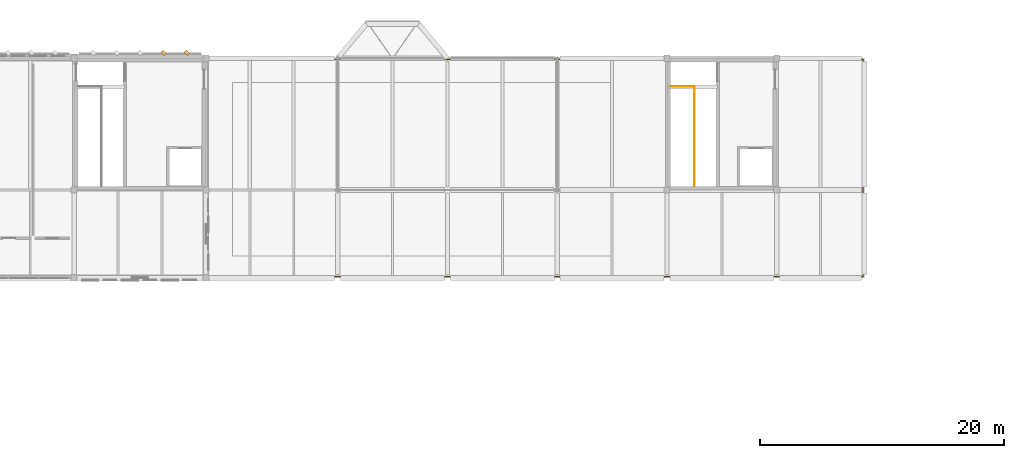
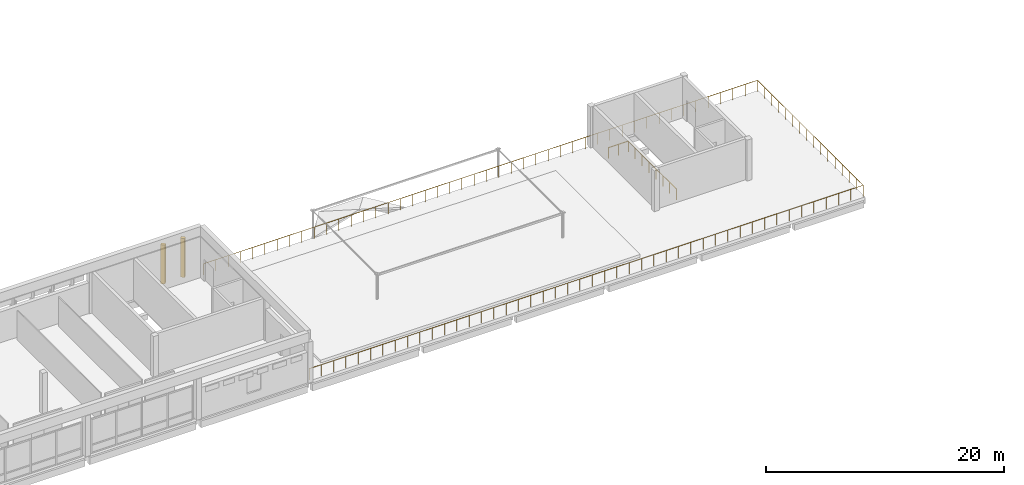
# One storey, part 33 of 33: 2 coverings, 2 railings.
"""IFC4 building model written with IfcOpenShell, lengths in metres."""

from ifc_helpers import new_model, si_unit, direction, frame, origin, origin_2d, place, context, subcontext, project, spatial, rectangle, circle, extrude, material, layer, layer_set, type_object, element, save


model = new_model("IFC4")

# Units and contexts
model_context = context("Model", 3, precision=1e-05, world=origin(), true_north=direction((0.0, 1.0)))
body_context = subcontext(model_context, "Body", "Model", "MODEL_VIEW")
ifc_project = project(units=[si_unit("LENGTHUNIT", "METRE"), si_unit("AREAUNIT", "SQUARE_METRE"), si_unit("VOLUMEUNIT", "CUBIC_METRE"), si_unit("PLANEANGLEUNIT", "RADIAN"), si_unit("MASSUNIT", "GRAM", prefix="KILO")], contexts=[model_context])

# Site, building, storey
site_placement = place(None, origin())
site = spatial("IfcSite", under=ifc_project, at=site_placement, CompositionType="ELEMENT")
building_placement = place(site_placement, origin())
building = spatial("IfcBuilding", under=site, at=building_placement, Name="Lusvemor Sports Hall", CompositionType="ELEMENT")
storey_placement = place(building_placement, frame((0.0, 0.0, 19.199951171875)))
storey = spatial("IfcBuildingStorey", under=building, at=storey_placement, Name="L04", CompositionType="ELEMENT", Elevation=19.199951171875)

# Coverings
ifc_material_1 = material(Name="Emerald polychrome glazed ceramic cladding on Concrete C40/50 backing", Category="concrete")
ifc_layer_1 = layer(ifc_material_1, 0.0458984375)
ifc_layer_set_1 = layer_set([ifc_layer_1], Name="Emerald polychrome glazed ceramic cladding on Concrete C40/50 backing")
covering_type_1 = type_object("IfcCoveringType", Name="CLAD_WAVE_EMERALD", PredefinedType="CLADDING", material=ifc_layer_set_1)
covering_1_placement = place(storey_placement, frame((61.320068359375, 115.639892578125, 0.10009765625), z_axis=(0.0, 0.0, 1.0), x_axis=(0.707106781187, 0.707106781187, 0.0)))
element("IfcCovering", 1, at=covering_1_placement, inside=storey, type_object=covering_type_1, Name="Patterned Diamond Cladding Rib 674", PredefinedType="CLADDING", context=body_context, shape_type="SweptSolid", body=[
    extrude(rectangle(XDim=0.280029296875, YDim=0.3798828125, at=origin_2d()), origin(), (0.0, 0.0, 1.0), 4.0),
])
ifc_material_2 = material(Name="Warm terracotta Art Nouveau ceramic cladding on Concrete C40/50 backing", Category="masonry")
ifc_layer_2 = layer(ifc_material_2, 0.449951171875)
ifc_layer_set_2 = layer_set([ifc_layer_2], Name="Warm terracotta Art Nouveau ceramic cladding on Concrete C40/50 backing")
covering_type_2 = type_object("IfcCoveringType", Name="FIN_BRISE_CER_450", PredefinedType="MOLDING", material=ifc_layer_set_2)
covering_2_placement = place(storey_placement, frame((63.239990234375, 115.639892578125, 0.10009765625), z_axis=(0.0, 0.0, 1.0), x_axis=(0.707106781187, 0.707106781187, 0.0)))
element("IfcCovering", 2, at=covering_2_placement, inside=storey, type_object=covering_type_2, Name="Patterned Diamond Cladding Rib 675", PredefinedType="MOLDING", context=body_context, shape_type="SweptSolid", body=[
    extrude(rectangle(XDim=0.280029296875, YDim=0.3798828125, at=origin_2d()), origin(), (0.0, 0.0, 1.0), 4.0),
])

# Railings
ifc_material_3 = material(Name="Bronze-finished wrought-steel Art Nouveau balustrade", Category="steel")
railing_type_1 = type_object("IfcRailingType", Name="RAIL_STAIR_GUARD_112", PredefinedType="GUARDRAIL", material=ifc_material_3)
railing_1_placement = place(storey_placement, frame((102.93994140625, 112.8701171875, 0.0)))
element("IfcRailing", 3, at=railing_1_placement, inside=storey, type_object=railing_type_1, Name="Stairwell C4 Top Guard (L04)", PredefinedType="GUARDRAIL", context=body_context, shape_type="SweptSolid", body=[
    extrude(circle(Radius=0.02392578125, at=origin_2d()), frame((0.0, 0.0, 1.09619140625), z_axis=(1.0, 0.0, 0.0), x_axis=(0.0, 1.0, 0.0)), (0.0, 0.0, 1.0), 1.920166015625),
    extrude(circle(Radius=0.02392578125, at=origin_2d()), frame((1.920166015625, 0.0, 1.09619140625), z_axis=(0.0, -1.0, 0.0), x_axis=(1.0, 0.0, 0.0)), (0.0, 0.0, 1.0), 8.130126953125),
    extrude(circle(Radius=0.02099609375, at=origin_2d()), origin(), (0.0, 0.0, 1.0), 1.072021484375),
    extrude(circle(Radius=0.02099609375, at=origin_2d()), frame((0.9599609375, 0.0, 0.0)), (0.0, 0.0, 1.0), 1.072021484375),
    extrude(circle(Radius=0.02099609375, at=origin_2d()), frame((1.920166015625, 0.0, 0.0)), (0.0, 0.0, 1.0), 1.072021484375),
    extrude(circle(Radius=0.02099609375, at=origin_2d()), frame((1.920166015625, -1.161376953125, 0.0)), (0.0, 0.0, 1.0), 1.072021484375),
    extrude(circle(Radius=0.02099609375, at=origin_2d()), frame((1.920166015625, -2.322998046875, 0.0)), (0.0, 0.0, 1.0), 1.072021484375),
    extrude(circle(Radius=0.02099609375, at=origin_2d()), frame((1.920166015625, -3.484375, 0.0)), (0.0, 0.0, 1.0), 1.072021484375),
    extrude(circle(Radius=0.02099609375, at=origin_2d()), frame((1.920166015625, -4.645751953125, 0.0)), (0.0, 0.0, 1.0), 1.072021484375),
    extrude(circle(Radius=0.02099609375, at=origin_2d()), frame((1.920166015625, -5.80712890625, 0.0)), (0.0, 0.0, 1.0), 1.072021484375),
    extrude(circle(Radius=0.02099609375, at=origin_2d()), frame((1.920166015625, -6.96875, 0.0)), (0.0, 0.0, 1.0), 1.072021484375),
    extrude(circle(Radius=0.02099609375, at=origin_2d()), frame((1.920166015625, -8.130126953125, 0.0)), (0.0, 0.0, 1.0), 1.072021484375),
])
ifc_material_4 = material(Name="Bronze-finished wrought-steel Art Nouveau balustrade", Category="steel")
railing_type_2 = type_object("IfcRailingType", Name="RAIL_TERR_GUARD_118", PredefinedType="GUARDRAIL", material=ifc_material_4)
railing_2_placement = place(storey_placement, frame((64.89990234375, 97.320068359375, 0.0)))
element("IfcRailing", 4, at=railing_2_placement, inside=storey, type_object=railing_type_2, Name="Belvedere Planted Roof Garden Guard", PredefinedType="GUARDRAIL", context=body_context, shape_type="SweptSolid", body=[
    extrude(circle(Radius=0.02392578125, at=origin_2d()), frame((0.0, 0.0, 1.15576171875), z_axis=(1.0, 0.0, 0.0), x_axis=(0.0, 1.0, 0.0)), (0.0, 0.0, 1.0), 53.780029296875),
    extrude(circle(Radius=0.02392578125, at=origin_2d()), frame((53.780029296875, 0.0, 1.15576171875), z_axis=(0.0, 1.0, 0.0), x_axis=(-1.0, 0.0, 0.0)), (0.0, 0.0, 1.0), 17.760009765625),
    extrude(circle(Radius=0.02392578125, at=origin_2d()), frame((53.780029296875, 17.760009765625, 1.15576171875), z_axis=(-1.0, 0.0, 0.0), x_axis=(0.0, -1.0, 0.0)), (0.0, 0.0, 1.0), 53.780029296875),
    extrude(circle(Radius=0.02099609375, at=origin_2d()), origin(), (0.0, 0.0, 1.0), 1.1318359375),
    extrude(circle(Radius=0.02099609375, at=origin_2d()), frame((1.195068359375, 0.0, 0.0)), (0.0, 0.0, 1.0), 1.1318359375),
    extrude(circle(Radius=0.02099609375, at=origin_2d()), frame((2.39013671875, 0.0, 0.0)), (0.0, 0.0, 1.0), 1.1318359375),
    extrude(circle(Radius=0.02099609375, at=origin_2d()), frame((3.58544921875, 0.0, 0.0)), (0.0, 0.0, 1.0), 1.1318359375),
    extrude(circle(Radius=0.02099609375, at=origin_2d()), frame((4.780517578125, 0.0, 0.0)), (0.0, 0.0, 1.0), 1.1318359375),
    extrude(circle(Radius=0.02099609375, at=origin_2d()), frame((5.9755859375, 0.0, 0.0)), (0.0, 0.0, 1.0), 1.1318359375),
    extrude(circle(Radius=0.02099609375, at=origin_2d()), frame((7.170654296875, 0.0, 0.0)), (0.0, 0.0, 1.0), 1.1318359375),
    extrude(circle(Radius=0.02099609375, at=origin_2d()), frame((8.36572265625, 0.0, 0.0)), (0.0, 0.0, 1.0), 1.1318359375),
    extrude(circle(Radius=0.02099609375, at=origin_2d()), frame((9.560791015625, 0.0, 0.0)), (0.0, 0.0, 1.0), 1.1318359375),
    extrude(circle(Radius=0.02099609375, at=origin_2d()), frame((10.756103515625, 0.0, 0.0)), (0.0, 0.0, 1.0), 1.1318359375),
    extrude(circle(Radius=0.02099609375, at=origin_2d()), frame((11.951171875, 0.0, 0.0)), (0.0, 0.0, 1.0), 1.1318359375),
    extrude(circle(Radius=0.02099609375, at=origin_2d()), frame((13.146240234375, 0.0, 0.0)), (0.0, 0.0, 1.0), 1.1318359375),
    extrude(circle(Radius=0.02099609375, at=origin_2d()), frame((14.34130859375, 0.0, 0.0)), (0.0, 0.0, 1.0), 1.1318359375),
    extrude(circle(Radius=0.02099609375, at=origin_2d()), frame((15.536376953125, 0.0, 0.0)), (0.0, 0.0, 1.0), 1.1318359375),
    extrude(circle(Radius=0.02099609375, at=origin_2d()), frame((16.7314453125, 0.0, 0.0)), (0.0, 0.0, 1.0), 1.1318359375),
    extrude(circle(Radius=0.02099609375, at=origin_2d()), frame((17.9267578125, 0.0, 0.0)), (0.0, 0.0, 1.0), 1.1318359375),
    extrude(circle(Radius=0.02099609375, at=origin_2d()), frame((19.121826171875, 0.0, 0.0)), (0.0, 0.0, 1.0), 1.1318359375),
    extrude(circle(Radius=0.02099609375, at=origin_2d()), frame((20.31689453125, 0.0, 0.0)), (0.0, 0.0, 1.0), 1.1318359375),
    extrude(circle(Radius=0.02099609375, at=origin_2d()), frame((21.511962890625, 0.0, 0.0)), (0.0, 0.0, 1.0), 1.1318359375),
    extrude(circle(Radius=0.02099609375, at=origin_2d()), frame((22.70703125, 0.0, 0.0)), (0.0, 0.0, 1.0), 1.1318359375),
    extrude(circle(Radius=0.02099609375, at=origin_2d()), frame((23.90234375, 0.0, 0.0)), (0.0, 0.0, 1.0), 1.1318359375),
    extrude(circle(Radius=0.02099609375, at=origin_2d()), frame((25.097412109375, 0.0, 0.0)), (0.0, 0.0, 1.0), 1.1318359375),
    extrude(circle(Radius=0.02099609375, at=origin_2d()), frame((26.29248046875, 0.0, 0.0)), (0.0, 0.0, 1.0), 1.1318359375),
    extrude(circle(Radius=0.02099609375, at=origin_2d()), frame((27.487548828125, 0.0, 0.0)), (0.0, 0.0, 1.0), 1.1318359375),
    extrude(circle(Radius=0.02099609375, at=origin_2d()), frame((28.6826171875, 0.0, 0.0)), (0.0, 0.0, 1.0), 1.1318359375),
    extrude(circle(Radius=0.02099609375, at=origin_2d()), frame((29.877685546875, 0.0, 0.0)), (0.0, 0.0, 1.0), 1.1318359375),
    extrude(circle(Radius=0.02099609375, at=origin_2d()), frame((31.072998046875, 0.0, 0.0)), (0.0, 0.0, 1.0), 1.1318359375),
    extrude(circle(Radius=0.02099609375, at=origin_2d()), frame((32.26806640625, 0.0, 0.0)), (0.0, 0.0, 1.0), 1.1318359375),
    extrude(circle(Radius=0.02099609375, at=origin_2d()), frame((33.463134765625, 0.0, 0.0)), (0.0, 0.0, 1.0), 1.1318359375),
    extrude(circle(Radius=0.02099609375, at=origin_2d()), frame((34.658203125, 0.0, 0.0)), (0.0, 0.0, 1.0), 1.1318359375),
    extrude(circle(Radius=0.02099609375, at=origin_2d()), frame((35.853271484375, 0.0, 0.0)), (0.0, 0.0, 1.0), 1.1318359375),
    extrude(circle(Radius=0.02099609375, at=origin_2d()), frame((37.048583984375, 0.0, 0.0)), (0.0, 0.0, 1.0), 1.1318359375),
    extrude(circle(Radius=0.02099609375, at=origin_2d()), frame((38.24365234375, 0.0, 0.0)), (0.0, 0.0, 1.0), 1.1318359375),
    extrude(circle(Radius=0.02099609375, at=origin_2d()), frame((39.438720703125, 0.0, 0.0)), (0.0, 0.0, 1.0), 1.1318359375),
    extrude(circle(Radius=0.02099609375, at=origin_2d()), frame((40.6337890625, 0.0, 0.0)), (0.0, 0.0, 1.0), 1.1318359375),
    extrude(circle(Radius=0.02099609375, at=origin_2d()), frame((41.828857421875, 0.0, 0.0)), (0.0, 0.0, 1.0), 1.1318359375),
    extrude(circle(Radius=0.02099609375, at=origin_2d()), frame((43.02392578125, 0.0, 0.0)), (0.0, 0.0, 1.0), 1.1318359375),
    extrude(circle(Radius=0.02099609375, at=origin_2d()), frame((44.21923828125, 0.0, 0.0)), (0.0, 0.0, 1.0), 1.1318359375),
    extrude(circle(Radius=0.02099609375, at=origin_2d()), frame((45.414306640625, 0.0, 0.0)), (0.0, 0.0, 1.0), 1.1318359375),
    extrude(circle(Radius=0.02099609375, at=origin_2d()), frame((46.609375, 0.0, 0.0)), (0.0, 0.0, 1.0), 1.1318359375),
    extrude(circle(Radius=0.02099609375, at=origin_2d()), frame((47.804443359375, 0.0, 0.0)), (0.0, 0.0, 1.0), 1.1318359375),
    extrude(circle(Radius=0.02099609375, at=origin_2d()), frame((48.99951171875, 0.0, 0.0)), (0.0, 0.0, 1.0), 1.1318359375),
    extrude(circle(Radius=0.02099609375, at=origin_2d()), frame((50.194580078125, 0.0, 0.0)), (0.0, 0.0, 1.0), 1.1318359375),
    extrude(circle(Radius=0.02099609375, at=origin_2d()), frame((51.389892578125, 0.0, 0.0)), (0.0, 0.0, 1.0), 1.1318359375),
    extrude(circle(Radius=0.02099609375, at=origin_2d()), frame((52.5849609375, 0.0, 0.0)), (0.0, 0.0, 1.0), 1.1318359375),
    extrude(circle(Radius=0.02099609375, at=origin_2d()), frame((53.780029296875, 0.0, 0.0)), (0.0, 0.0, 1.0), 1.1318359375),
    extrude(circle(Radius=0.02099609375, at=origin_2d()), frame((53.780029296875, 1.18408203125, 0.0)), (0.0, 0.0, 1.0), 1.1318359375),
    extrude(circle(Radius=0.02099609375, at=origin_2d()), frame((53.780029296875, 2.367919921875, 0.0)), (0.0, 0.0, 1.0), 1.1318359375),
    extrude(circle(Radius=0.02099609375, at=origin_2d()), frame((53.780029296875, 3.552001953125, 0.0)), (0.0, 0.0, 1.0), 1.1318359375),
    extrude(circle(Radius=0.02099609375, at=origin_2d()), frame((53.780029296875, 4.736083984375, 0.0)), (0.0, 0.0, 1.0), 1.1318359375),
    extrude(circle(Radius=0.02099609375, at=origin_2d()), frame((53.780029296875, 5.919921875, 0.0)), (0.0, 0.0, 1.0), 1.1318359375),
    extrude(circle(Radius=0.02099609375, at=origin_2d()), frame((53.780029296875, 7.10400390625, 0.0)), (0.0, 0.0, 1.0), 1.1318359375),
    extrude(circle(Radius=0.02099609375, at=origin_2d()), frame((53.780029296875, 8.2880859375, 0.0)), (0.0, 0.0, 1.0), 1.1318359375),
    extrude(circle(Radius=0.02099609375, at=origin_2d()), frame((53.780029296875, 9.471923828125, 0.0)), (0.0, 0.0, 1.0), 1.1318359375),
    extrude(circle(Radius=0.02099609375, at=origin_2d()), frame((53.780029296875, 10.656005859375, 0.0)), (0.0, 0.0, 1.0), 1.1318359375),
    extrude(circle(Radius=0.02099609375, at=origin_2d()), frame((53.780029296875, 11.840087890625, 0.0)), (0.0, 0.0, 1.0), 1.1318359375),
    extrude(circle(Radius=0.02099609375, at=origin_2d()), frame((53.780029296875, 13.02392578125, 0.0)), (0.0, 0.0, 1.0), 1.1318359375),
    extrude(circle(Radius=0.02099609375, at=origin_2d()), frame((53.780029296875, 14.2080078125, 0.0)), (0.0, 0.0, 1.0), 1.1318359375),
    extrude(circle(Radius=0.02099609375, at=origin_2d()), frame((53.780029296875, 15.39208984375, 0.0)), (0.0, 0.0, 1.0), 1.1318359375),
    extrude(circle(Radius=0.02099609375, at=origin_2d()), frame((53.780029296875, 16.575927734375, 0.0)), (0.0, 0.0, 1.0), 1.1318359375),
    extrude(circle(Radius=0.02099609375, at=origin_2d()), frame((53.780029296875, 17.760009765625, 0.0)), (0.0, 0.0, 1.0), 1.1318359375),
    extrude(circle(Radius=0.02099609375, at=origin_2d()), frame((52.5849609375, 17.760009765625, 0.0)), (0.0, 0.0, 1.0), 1.1318359375),
    extrude(circle(Radius=0.02099609375, at=origin_2d()), frame((51.389892578125, 17.760009765625, 0.0)), (0.0, 0.0, 1.0), 1.1318359375),
    extrude(circle(Radius=0.02099609375, at=origin_2d()), frame((50.194580078125, 17.760009765625, 0.0)), (0.0, 0.0, 1.0), 1.1318359375),
    extrude(circle(Radius=0.02099609375, at=origin_2d()), frame((48.99951171875, 17.760009765625, 0.0)), (0.0, 0.0, 1.0), 1.1318359375),
    extrude(circle(Radius=0.02099609375, at=origin_2d()), frame((47.804443359375, 17.760009765625, 0.0)), (0.0, 0.0, 1.0), 1.1318359375),
    extrude(circle(Radius=0.02099609375, at=origin_2d()), frame((46.609375, 17.760009765625, 0.0)), (0.0, 0.0, 1.0), 1.1318359375),
    extrude(circle(Radius=0.02099609375, at=origin_2d()), frame((45.414306640625, 17.760009765625, 0.0)), (0.0, 0.0, 1.0), 1.1318359375),
    extrude(circle(Radius=0.02099609375, at=origin_2d()), frame((44.21923828125, 17.760009765625, 0.0)), (0.0, 0.0, 1.0), 1.1318359375),
    extrude(circle(Radius=0.02099609375, at=origin_2d()), frame((43.02392578125, 17.760009765625, 0.0)), (0.0, 0.0, 1.0), 1.1318359375),
    extrude(circle(Radius=0.02099609375, at=origin_2d()), frame((41.828857421875, 17.760009765625, 0.0)), (0.0, 0.0, 1.0), 1.1318359375),
    extrude(circle(Radius=0.02099609375, at=origin_2d()), frame((40.6337890625, 17.760009765625, 0.0)), (0.0, 0.0, 1.0), 1.1318359375),
    extrude(circle(Radius=0.02099609375, at=origin_2d()), frame((39.438720703125, 17.760009765625, 0.0)), (0.0, 0.0, 1.0), 1.1318359375),
    extrude(circle(Radius=0.02099609375, at=origin_2d()), frame((38.24365234375, 17.760009765625, 0.0)), (0.0, 0.0, 1.0), 1.1318359375),
    extrude(circle(Radius=0.02099609375, at=origin_2d()), frame((37.048583984375, 17.760009765625, 0.0)), (0.0, 0.0, 1.0), 1.1318359375),
    extrude(circle(Radius=0.02099609375, at=origin_2d()), frame((35.853271484375, 17.760009765625, 0.0)), (0.0, 0.0, 1.0), 1.1318359375),
    extrude(circle(Radius=0.02099609375, at=origin_2d()), frame((34.658203125, 17.760009765625, 0.0)), (0.0, 0.0, 1.0), 1.1318359375),
    extrude(circle(Radius=0.02099609375, at=origin_2d()), frame((33.463134765625, 17.760009765625, 0.0)), (0.0, 0.0, 1.0), 1.1318359375),
    extrude(circle(Radius=0.02099609375, at=origin_2d()), frame((32.26806640625, 17.760009765625, 0.0)), (0.0, 0.0, 1.0), 1.1318359375),
    extrude(circle(Radius=0.02099609375, at=origin_2d()), frame((31.072998046875, 17.760009765625, 0.0)), (0.0, 0.0, 1.0), 1.1318359375),
    extrude(circle(Radius=0.02099609375, at=origin_2d()), frame((29.877685546875, 17.760009765625, 0.0)), (0.0, 0.0, 1.0), 1.1318359375),
    extrude(circle(Radius=0.02099609375, at=origin_2d()), frame((28.6826171875, 17.760009765625, 0.0)), (0.0, 0.0, 1.0), 1.1318359375),
    extrude(circle(Radius=0.02099609375, at=origin_2d()), frame((27.487548828125, 17.760009765625, 0.0)), (0.0, 0.0, 1.0), 1.1318359375),
    extrude(circle(Radius=0.02099609375, at=origin_2d()), frame((26.29248046875, 17.760009765625, 0.0)), (0.0, 0.0, 1.0), 1.1318359375),
    extrude(circle(Radius=0.02099609375, at=origin_2d()), frame((25.097412109375, 17.760009765625, 0.0)), (0.0, 0.0, 1.0), 1.1318359375),
    extrude(circle(Radius=0.02099609375, at=origin_2d()), frame((23.90234375, 17.760009765625, 0.0)), (0.0, 0.0, 1.0), 1.1318359375),
    extrude(circle(Radius=0.02099609375, at=origin_2d()), frame((22.70703125, 17.760009765625, 0.0)), (0.0, 0.0, 1.0), 1.1318359375),
    extrude(circle(Radius=0.02099609375, at=origin_2d()), frame((21.511962890625, 17.760009765625, 0.0)), (0.0, 0.0, 1.0), 1.1318359375),
    extrude(circle(Radius=0.02099609375, at=origin_2d()), frame((20.31689453125, 17.760009765625, 0.0)), (0.0, 0.0, 1.0), 1.1318359375),
    extrude(circle(Radius=0.02099609375, at=origin_2d()), frame((19.121826171875, 17.760009765625, 0.0)), (0.0, 0.0, 1.0), 1.1318359375),
    extrude(circle(Radius=0.02099609375, at=origin_2d()), frame((17.9267578125, 17.760009765625, 0.0)), (0.0, 0.0, 1.0), 1.1318359375),
    extrude(circle(Radius=0.02099609375, at=origin_2d()), frame((16.7314453125, 17.760009765625, 0.0)), (0.0, 0.0, 1.0), 1.1318359375),
    extrude(circle(Radius=0.02099609375, at=origin_2d()), frame((15.536376953125, 17.760009765625, 0.0)), (0.0, 0.0, 1.0), 1.1318359375),
    extrude(circle(Radius=0.02099609375, at=origin_2d()), frame((14.34130859375, 17.760009765625, 0.0)), (0.0, 0.0, 1.0), 1.1318359375),
    extrude(circle(Radius=0.02099609375, at=origin_2d()), frame((13.146240234375, 17.760009765625, 0.0)), (0.0, 0.0, 1.0), 1.1318359375),
    extrude(circle(Radius=0.02099609375, at=origin_2d()), frame((11.951171875, 17.760009765625, 0.0)), (0.0, 0.0, 1.0), 1.1318359375),
    extrude(circle(Radius=0.02099609375, at=origin_2d()), frame((10.756103515625, 17.760009765625, 0.0)), (0.0, 0.0, 1.0), 1.1318359375),
    extrude(circle(Radius=0.02099609375, at=origin_2d()), frame((9.560791015625, 17.760009765625, 0.0)), (0.0, 0.0, 1.0), 1.1318359375),
    extrude(circle(Radius=0.02099609375, at=origin_2d()), frame((8.36572265625, 17.760009765625, 0.0)), (0.0, 0.0, 1.0), 1.1318359375),
    extrude(circle(Radius=0.02099609375, at=origin_2d()), frame((7.170654296875, 17.760009765625, 0.0)), (0.0, 0.0, 1.0), 1.1318359375),
    extrude(circle(Radius=0.02099609375, at=origin_2d()), frame((5.9755859375, 17.760009765625, 0.0)), (0.0, 0.0, 1.0), 1.1318359375),
    extrude(circle(Radius=0.02099609375, at=origin_2d()), frame((4.780517578125, 17.760009765625, 0.0)), (0.0, 0.0, 1.0), 1.1318359375),
    extrude(circle(Radius=0.02099609375, at=origin_2d()), frame((3.58544921875, 17.760009765625, 0.0)), (0.0, 0.0, 1.0), 1.1318359375),
    extrude(circle(Radius=0.02099609375, at=origin_2d()), frame((2.39013671875, 17.760009765625, 0.0)), (0.0, 0.0, 1.0), 1.1318359375),
    extrude(circle(Radius=0.02099609375, at=origin_2d()), frame((1.195068359375, 17.760009765625, 0.0)), (0.0, 0.0, 1.0), 1.1318359375),
    extrude(circle(Radius=0.02099609375, at=origin_2d()), frame((0.0, 17.760009765625, 0.0)), (0.0, 0.0, 1.0), 1.1318359375),
])

save(model, "model.ifc")
